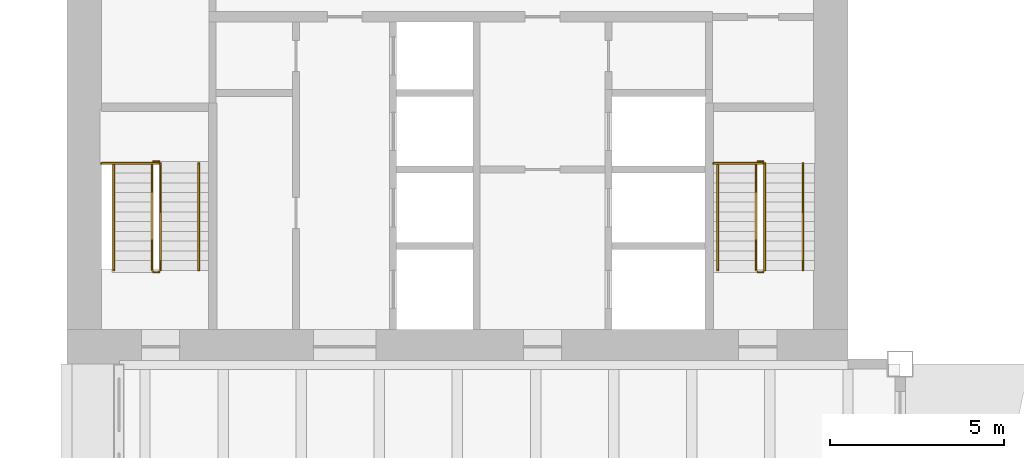
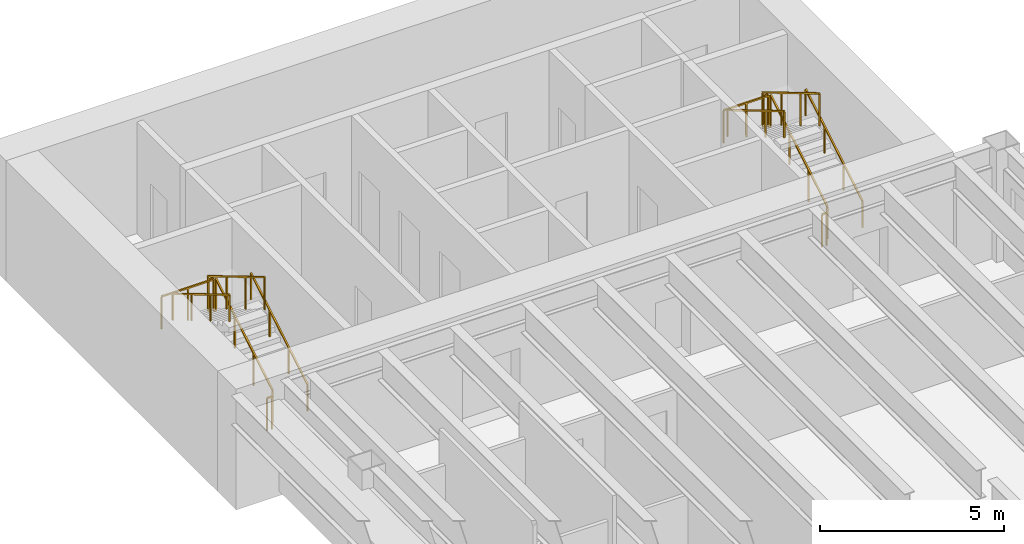
# One storey, part 16 of 16: 14 railings.
"""IFC4 building model written with IfcOpenShell, lengths in metres."""

from ifc_helpers import new_model, si_unit, direction, frame, origin, origin_2d, place, context, subcontext, project, spatial, rectangle, extrude, material, type_object, element, save


model = new_model("IFC4")

# Units and contexts
model_context = context("Model", 3, precision=1e-05, world=origin(), true_north=direction((0.0, 1.0)))
body_context = subcontext(model_context, "Body", "Model", "MODEL_VIEW")
ifc_project = project(units=[si_unit("LENGTHUNIT", "METRE"), si_unit("AREAUNIT", "SQUARE_METRE"), si_unit("VOLUMEUNIT", "CUBIC_METRE"), si_unit("PLANEANGLEUNIT", "RADIAN"), si_unit("MASSUNIT", "GRAM", prefix="KILO")], contexts=[model_context])

# Site, building, storey
site_placement = place(None, origin())
site = spatial("IfcSite", under=ifc_project, at=site_placement, CompositionType="ELEMENT")
building_placement = place(site_placement, origin())
building = spatial("IfcBuilding", under=site, at=building_placement, Name="Sennacour Bend Tower", CompositionType="ELEMENT")
storey_placement = place(building_placement, frame((0.0, 0.0, 239.0)))
storey = spatial("IfcBuildingStorey", under=building, at=storey_placement, Name="L55", CompositionType="ELEMENT", Elevation=239.0)

# Railings
ifc_material = material(Name="Stainless steel", Category="steel")
railing_type_1 = type_object("IfcRailingType", Name="RL-GUARD-1100", PredefinedType="GUARDRAIL", material=ifc_material)
railing_1_placement = place(storey_placement, frame((2.699951171875, 38.699951171875, 0.166748046875)))
element("IfcRailing", 1, at=railing_1_placement, inside=storey, type_object=railing_type_1, Name="L55 SB1 stair guard 1", PredefinedType="GUARDRAIL", context=body_context, shape_type="SweptSolid", body=[
    extrude(rectangle(XDim=0.048095703125, YDim=0.048095703125, at=origin_2d()), frame((0.0, 0.0, 1.076171875), z_axis=(0.0, 0.859308565015, 0.511457515432), x_axis=(-1.0, 0.0, 0.0)), (0.0, 0.0, 1.0), 3.58447265625),
    extrude(rectangle(XDim=0.0419921875, YDim=0.0419921875, at=origin_2d()), origin(), (0.0, 0.0, 1.0), 1.052001953125),
    extrude(rectangle(XDim=0.0419921875, YDim=0.0419921875, at=origin_2d()), frame((0.0, 1.026611328125, 0.611083984375)), (0.0, 0.0, 1.0), 1.052001953125),
    extrude(rectangle(XDim=0.0419921875, YDim=0.0419921875, at=origin_2d()), frame((0.0, 2.053466796875, 1.22216796875)), (0.0, 0.0, 1.0), 1.052001953125),
    extrude(rectangle(XDim=0.0419921875, YDim=0.0419921875, at=origin_2d()), frame((0.0, 3.080078125, 1.833251953125)), (0.0, 0.0, 1.0), 1.052001953125),
])
railing_2_placement = place(storey_placement, frame((2.64990234375, 41.830078125, 2.0)))
element("IfcRailing", 2, at=railing_2_placement, inside=storey, type_object=railing_type_1, Name="L55 SB1 stair guard 2", PredefinedType="GUARDRAIL", context=body_context, shape_type="SweptSolid", body=[
    extrude(rectangle(XDim=0.048095703125, YDim=0.048095703125, at=origin_2d()), frame((0.0, 0.0, 1.076171875), z_axis=(-1.0, 0.0, 0.0), x_axis=(0.0, -1.0, 0.0)), (0.0, 0.0, 1.0), 0.14990234375),
    extrude(rectangle(XDim=0.0419921875, YDim=0.0419921875, at=origin_2d()), origin(), (0.0, 0.0, 1.0), 1.052001953125),
    extrude(rectangle(XDim=0.0419921875, YDim=0.0419921875, at=origin_2d()), frame((-0.14990234375, 0.0, 0.0)), (0.0, 0.0, 1.0), 1.052001953125),
])
railing_3_placement = place(storey_placement, frame((2.449951171875, 41.780029296875, 2.166748046875)))
element("IfcRailing", 3, at=railing_3_placement, inside=storey, type_object=railing_type_1, Name="L55 SB1 stair guard 4", PredefinedType="GUARDRAIL", context=body_context, shape_type="SweptSolid", body=[
    extrude(rectangle(XDim=0.048095703125, YDim=0.048095703125, at=origin_2d()), frame((0.0, 0.0, 1.076171875), z_axis=(0.0, -0.859308565015, 0.511457515432), x_axis=(1.0, 0.0, 0.0)), (0.0, 0.0, 1.0), 3.58447265625),
    extrude(rectangle(XDim=0.0419921875, YDim=0.0419921875, at=origin_2d()), origin(), (0.0, 0.0, 1.0), 1.052001953125),
    extrude(rectangle(XDim=0.0419921875, YDim=0.0419921875, at=origin_2d()), frame((0.0, -1.026611328125, 0.611083984375)), (0.0, 0.0, 1.0), 1.052001953125),
    extrude(rectangle(XDim=0.0419921875, YDim=0.0419921875, at=origin_2d()), frame((0.0, -2.053466796875, 1.22216796875)), (0.0, 0.0, 1.0), 1.052001953125),
    extrude(rectangle(XDim=0.0419921875, YDim=0.0419921875, at=origin_2d()), frame((0.0, -3.080078125, 1.833251953125)), (0.0, 0.0, 1.0), 1.052001953125),
])
railing_4_placement = place(storey_placement, frame((2.64990234375, 38.64990234375, 0.0)))
element("IfcRailing", 4, at=railing_4_placement, inside=storey, type_object=railing_type_1, Name="L55 SB1 stair guard 5", PredefinedType="GUARDRAIL", context=body_context, shape_type="SweptSolid", body=[
    extrude(rectangle(XDim=0.048095703125, YDim=0.048095703125, at=origin_2d()), frame((0.0, 0.0, 1.076171875), z_axis=(-1.0, 0.0, 0.0), x_axis=(0.0, -1.0, 0.0)), (0.0, 0.0, 1.0), 0.14990234375),
    extrude(rectangle(XDim=0.0419921875, YDim=0.0419921875, at=origin_2d()), origin(), (0.0, 0.0, 1.0), 1.052001953125),
    extrude(rectangle(XDim=0.0419921875, YDim=0.0419921875, at=origin_2d()), frame((-0.14990234375, 0.0, 0.0)), (0.0, 0.0, 1.0), 1.052001953125),
])
railing_5_placement = place(storey_placement, frame((2.64990234375, 41.780029296875, 2.0)))
element("IfcRailing", 5, at=railing_5_placement, inside=storey, type_object=railing_type_1, Name="L55 SB1 landing edge guard 83", PredefinedType="GUARDRAIL", context=body_context, shape_type="SweptSolid", body=[
    extrude(rectangle(XDim=0.048095703125, YDim=0.048095703125, at=origin_2d()), frame((0.0, 0.0, 1.076171875), z_axis=(-1.0, 0.0, 0.0), x_axis=(0.0, -1.0, 0.0)), (0.0, 0.0, 1.0), 1.64990234375),
    extrude(rectangle(XDim=0.0419921875, YDim=0.0419921875, at=origin_2d()), origin(), (0.0, 0.0, 1.0), 1.052001953125),
    extrude(rectangle(XDim=0.0419921875, YDim=0.0419921875, at=origin_2d()), frame((-0.824951171875, 0.0, 0.0)), (0.0, 0.0, 1.0), 1.052001953125),
    extrude(rectangle(XDim=0.0419921875, YDim=0.0419921875, at=origin_2d()), frame((-1.64990234375, 0.0, 0.0)), (0.0, 0.0, 1.0), 1.052001953125),
])
railing_6_placement = place(storey_placement, frame((20.10009765625, 38.699951171875, 0.166748046875)))
element("IfcRailing", 6, at=railing_6_placement, inside=storey, type_object=railing_type_1, Name="L55 SB2 stair guard 1", PredefinedType="GUARDRAIL", context=body_context, shape_type="SweptSolid", body=[
    extrude(rectangle(XDim=0.048095703125, YDim=0.048095703125, at=origin_2d()), frame((0.0, 0.0, 1.076171875), z_axis=(0.0, 0.859308565015, 0.511457515432), x_axis=(-1.0, 0.0, 0.0)), (0.0, 0.0, 1.0), 3.58447265625),
    extrude(rectangle(XDim=0.0419921875, YDim=0.0419921875, at=origin_2d()), origin(), (0.0, 0.0, 1.0), 1.052001953125),
    extrude(rectangle(XDim=0.0419921875, YDim=0.0419921875, at=origin_2d()), frame((0.0, 1.026611328125, 0.611083984375)), (0.0, 0.0, 1.0), 1.052001953125),
    extrude(rectangle(XDim=0.0419921875, YDim=0.0419921875, at=origin_2d()), frame((0.0, 2.053466796875, 1.22216796875)), (0.0, 0.0, 1.0), 1.052001953125),
    extrude(rectangle(XDim=0.0419921875, YDim=0.0419921875, at=origin_2d()), frame((0.0, 3.080078125, 1.833251953125)), (0.0, 0.0, 1.0), 1.052001953125),
])
railing_7_placement = place(storey_placement, frame((20.050048828125, 41.830078125, 2.0)))
element("IfcRailing", 7, at=railing_7_placement, inside=storey, type_object=railing_type_1, Name="L55 SB2 stair guard 2", PredefinedType="GUARDRAIL", context=body_context, shape_type="SweptSolid", body=[
    extrude(rectangle(XDim=0.048095703125, YDim=0.048095703125, at=origin_2d()), frame((0.0, 0.0, 1.076171875), z_axis=(-1.0, 0.0, 0.0), x_axis=(0.0, -1.0, 0.0)), (0.0, 0.0, 1.0), 0.150146484375),
    extrude(rectangle(XDim=0.0419921875, YDim=0.0419921875, at=origin_2d()), origin(), (0.0, 0.0, 1.0), 1.052001953125),
    extrude(rectangle(XDim=0.0419921875, YDim=0.0419921875, at=origin_2d()), frame((-0.150146484375, 0.0, 0.0)), (0.0, 0.0, 1.0), 1.052001953125),
])
railing_8_placement = place(storey_placement, frame((19.85009765625, 41.780029296875, 2.166748046875)))
element("IfcRailing", 8, at=railing_8_placement, inside=storey, type_object=railing_type_1, Name="L55 SB2 stair guard 4", PredefinedType="GUARDRAIL", context=body_context, shape_type="SweptSolid", body=[
    extrude(rectangle(XDim=0.048095703125, YDim=0.048095703125, at=origin_2d()), frame((0.0, 0.0, 1.076171875), z_axis=(0.0, -0.859308565015, 0.511457515432), x_axis=(1.0, 0.0, 0.0)), (0.0, 0.0, 1.0), 3.58447265625),
    extrude(rectangle(XDim=0.0419921875, YDim=0.0419921875, at=origin_2d()), origin(), (0.0, 0.0, 1.0), 1.052001953125),
    extrude(rectangle(XDim=0.0419921875, YDim=0.0419921875, at=origin_2d()), frame((0.0, -1.026611328125, 0.611083984375)), (0.0, 0.0, 1.0), 1.052001953125),
    extrude(rectangle(XDim=0.0419921875, YDim=0.0419921875, at=origin_2d()), frame((0.0, -2.053466796875, 1.22216796875)), (0.0, 0.0, 1.0), 1.052001953125),
    extrude(rectangle(XDim=0.0419921875, YDim=0.0419921875, at=origin_2d()), frame((0.0, -3.080078125, 1.833251953125)), (0.0, 0.0, 1.0), 1.052001953125),
])
railing_9_placement = place(storey_placement, frame((20.050048828125, 38.64990234375, 0.0)))
element("IfcRailing", 9, at=railing_9_placement, inside=storey, type_object=railing_type_1, Name="L55 SB2 stair guard 5", PredefinedType="GUARDRAIL", context=body_context, shape_type="SweptSolid", body=[
    extrude(rectangle(XDim=0.048095703125, YDim=0.048095703125, at=origin_2d()), frame((0.0, 0.0, 1.076171875), z_axis=(-1.0, 0.0, 0.0), x_axis=(0.0, -1.0, 0.0)), (0.0, 0.0, 1.0), 0.150146484375),
    extrude(rectangle(XDim=0.0419921875, YDim=0.0419921875, at=origin_2d()), origin(), (0.0, 0.0, 1.0), 1.052001953125),
    extrude(rectangle(XDim=0.0419921875, YDim=0.0419921875, at=origin_2d()), frame((-0.150146484375, 0.0, 0.0)), (0.0, 0.0, 1.0), 1.052001953125),
])
railing_10_placement = place(storey_placement, frame((20.050048828125, 41.780029296875, 2.0)))
element("IfcRailing", 10, at=railing_10_placement, inside=storey, type_object=railing_type_1, Name="L55 SB2 landing edge guard 72", PredefinedType="GUARDRAIL", context=body_context, shape_type="SweptSolid", body=[
    extrude(rectangle(XDim=0.048095703125, YDim=0.048095703125, at=origin_2d()), frame((0.0, 0.0, 1.076171875), z_axis=(-1.0, 0.0, 0.0), x_axis=(0.0, -1.0, 0.0)), (0.0, 0.0, 1.0), 1.425048828125),
    extrude(rectangle(XDim=0.0419921875, YDim=0.0419921875, at=origin_2d()), origin(), (0.0, 0.0, 1.0), 1.052001953125),
    extrude(rectangle(XDim=0.0419921875, YDim=0.0419921875, at=origin_2d()), frame((-0.71240234375, 0.0, 0.0)), (0.0, 0.0, 1.0), 1.052001953125),
    extrude(rectangle(XDim=0.0419921875, YDim=0.0419921875, at=origin_2d()), frame((-1.425048828125, 0.0, 0.0)), (0.0, 0.0, 1.0), 1.052001953125),
])
railing_type_2 = type_object("IfcRailingType", Name="RL-HANDRAIL-900", PredefinedType="HANDRAIL", material=ifc_material)
railing_11_placement = place(storey_placement, frame((3.800048828125, 38.699951171875, 0.166748046875)))
element("IfcRailing", 11, at=railing_11_placement, inside=storey, type_object=railing_type_2, Name="L55 SB1 stair handrail 1", PredefinedType="HANDRAIL", context=body_context, shape_type="SweptSolid", body=[
    extrude(rectangle(XDim=0.048095703125, YDim=0.048095703125, at=origin_2d()), frame((0.0, 0.0, 0.8759765625), z_axis=(0.0, 0.859308565015, 0.511457515432), x_axis=(-1.0, 0.0, 0.0)), (0.0, 0.0, 1.0), 3.58447265625),
    extrude(rectangle(XDim=0.0419921875, YDim=0.0419921875, at=origin_2d()), origin(), (0.0, 0.0, 1.0), 0.851806640625),
    extrude(rectangle(XDim=0.0419921875, YDim=0.0419921875, at=origin_2d()), frame((0.0, 1.026611328125, 0.611083984375)), (0.0, 0.0, 1.0), 0.851806640625),
    extrude(rectangle(XDim=0.0419921875, YDim=0.0419921875, at=origin_2d()), frame((0.0, 2.053466796875, 1.22216796875)), (0.0, 0.0, 1.0), 0.851806640625),
    extrude(rectangle(XDim=0.0419921875, YDim=0.0419921875, at=origin_2d()), frame((0.0, 3.080078125, 1.833251953125)), (0.0, 0.0, 1.0), 0.851806640625),
])
railing_12_placement = place(storey_placement, frame((1.35009765625, 41.780029296875, 2.166748046875)))
element("IfcRailing", 12, at=railing_12_placement, inside=storey, type_object=railing_type_2, Name="L55 SB1 stair handrail 2", PredefinedType="HANDRAIL", context=body_context, shape_type="SweptSolid", body=[
    extrude(rectangle(XDim=0.048095703125, YDim=0.048095703125, at=origin_2d()), frame((0.0, 0.0, 0.8759765625), z_axis=(0.0, -0.859308565015, 0.511457515432), x_axis=(1.0, 0.0, 0.0)), (0.0, 0.0, 1.0), 3.58447265625),
    extrude(rectangle(XDim=0.0419921875, YDim=0.0419921875, at=origin_2d()), origin(), (0.0, 0.0, 1.0), 0.851806640625),
    extrude(rectangle(XDim=0.0419921875, YDim=0.0419921875, at=origin_2d()), frame((0.0, -1.026611328125, 0.611083984375)), (0.0, 0.0, 1.0), 0.851806640625),
    extrude(rectangle(XDim=0.0419921875, YDim=0.0419921875, at=origin_2d()), frame((0.0, -2.053466796875, 1.22216796875)), (0.0, 0.0, 1.0), 0.851806640625),
    extrude(rectangle(XDim=0.0419921875, YDim=0.0419921875, at=origin_2d()), frame((0.0, -3.080078125, 1.833251953125)), (0.0, 0.0, 1.0), 0.851806640625),
])
railing_13_placement = place(storey_placement, frame((21.199951171875, 38.699951171875, 0.166748046875)))
element("IfcRailing", 13, at=railing_13_placement, inside=storey, type_object=railing_type_2, Name="L55 SB2 stair handrail 1", PredefinedType="HANDRAIL", context=body_context, shape_type="SweptSolid", body=[
    extrude(rectangle(XDim=0.048095703125, YDim=0.048095703125, at=origin_2d()), frame((0.0, 0.0, 0.8759765625), z_axis=(0.0, 0.859308565015, 0.511457515432), x_axis=(-1.0, 0.0, 0.0)), (0.0, 0.0, 1.0), 3.58447265625),
    extrude(rectangle(XDim=0.0419921875, YDim=0.0419921875, at=origin_2d()), origin(), (0.0, 0.0, 1.0), 0.851806640625),
    extrude(rectangle(XDim=0.0419921875, YDim=0.0419921875, at=origin_2d()), frame((0.0, 1.026611328125, 0.611083984375)), (0.0, 0.0, 1.0), 0.851806640625),
    extrude(rectangle(XDim=0.0419921875, YDim=0.0419921875, at=origin_2d()), frame((0.0, 2.053466796875, 1.22216796875)), (0.0, 0.0, 1.0), 0.851806640625),
    extrude(rectangle(XDim=0.0419921875, YDim=0.0419921875, at=origin_2d()), frame((0.0, 3.080078125, 1.833251953125)), (0.0, 0.0, 1.0), 0.851806640625),
])
railing_14_placement = place(storey_placement, frame((18.75, 41.780029296875, 2.166748046875)))
element("IfcRailing", 14, at=railing_14_placement, inside=storey, type_object=railing_type_2, Name="L55 SB2 stair handrail 2", PredefinedType="HANDRAIL", context=body_context, shape_type="SweptSolid", body=[
    extrude(rectangle(XDim=0.048095703125, YDim=0.048095703125, at=origin_2d()), frame((0.0, 0.0, 0.8759765625), z_axis=(0.0, -0.859308565015, 0.511457515432), x_axis=(1.0, 0.0, 0.0)), (0.0, 0.0, 1.0), 3.58447265625),
    extrude(rectangle(XDim=0.0419921875, YDim=0.0419921875, at=origin_2d()), origin(), (0.0, 0.0, 1.0), 0.851806640625),
    extrude(rectangle(XDim=0.0419921875, YDim=0.0419921875, at=origin_2d()), frame((0.0, -1.026611328125, 0.611083984375)), (0.0, 0.0, 1.0), 0.851806640625),
    extrude(rectangle(XDim=0.0419921875, YDim=0.0419921875, at=origin_2d()), frame((0.0, -2.053466796875, 1.22216796875)), (0.0, 0.0, 1.0), 0.851806640625),
    extrude(rectangle(XDim=0.0419921875, YDim=0.0419921875, at=origin_2d()), frame((0.0, -3.080078125, 1.833251953125)), (0.0, 0.0, 1.0), 0.851806640625),
])

save(model, "model.ifc")
